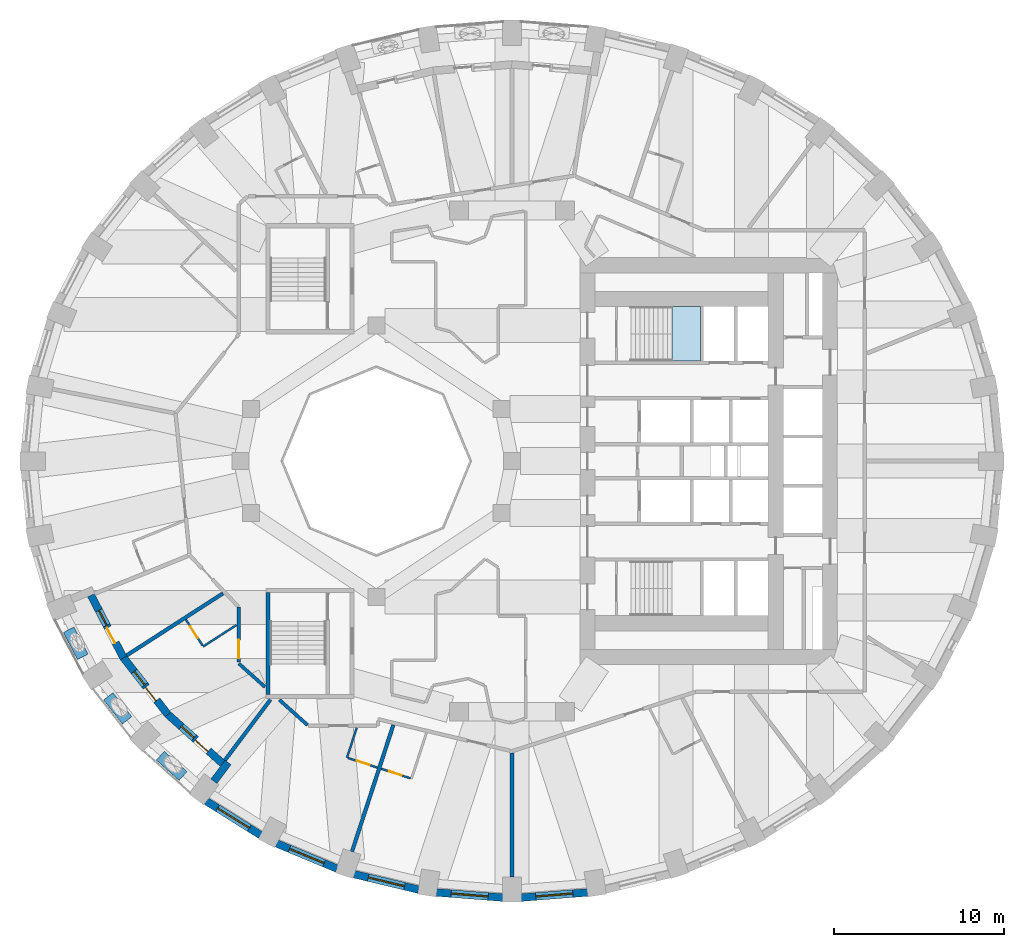
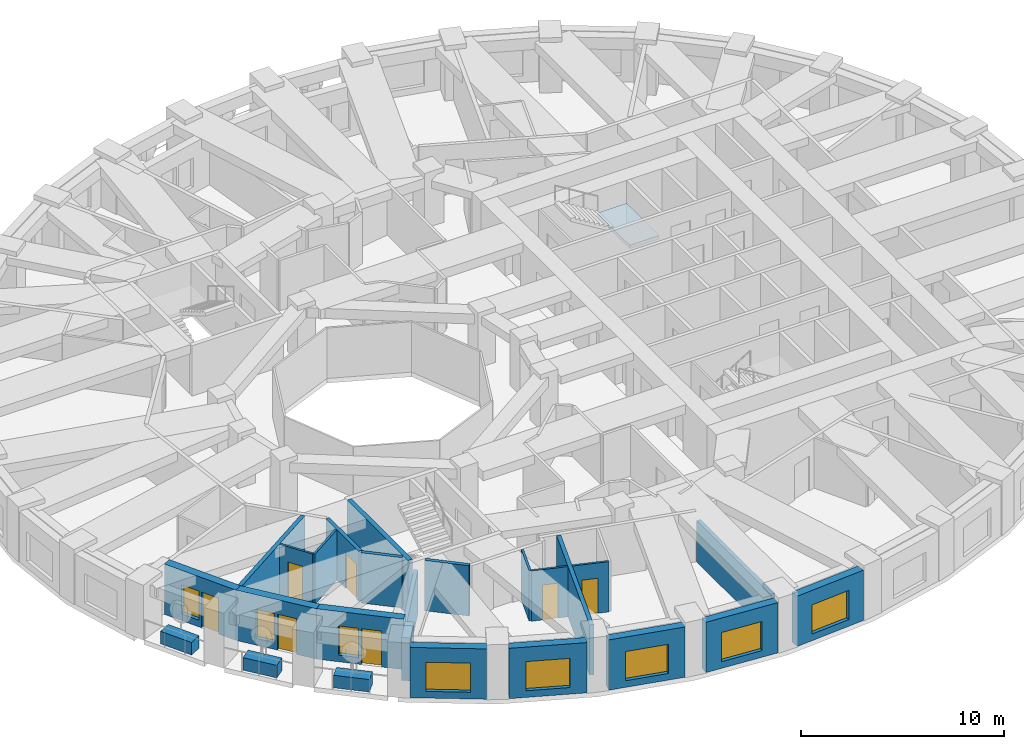
# One storey, part 3 of 13: 25 walls, 8 windows, 7 doors, 1 slab, 15 openings, 1 element without a shape of its own.
"""IFC4 building model written with IfcOpenShell, lengths in metres."""

from ifc_helpers import new_model, si_unit, direction, frame, frame_2d, origin, place, context, subcontext, project, spatial, polyline, rectangle, outline, extrude, material, layer, layer_set, constituent, constituent_set, type_object, element, fill, aggregate, save


model = new_model("IFC4")

# Units and contexts
model_context = context("Model", 3, precision=1e-05, world=origin(), true_north=direction((0.0, 1.0)))
body_context = subcontext(model_context, "Body", "Model", "MODEL_VIEW")
ifc_project = project(units=[si_unit("LENGTHUNIT", "METRE"), si_unit("AREAUNIT", "SQUARE_METRE"), si_unit("VOLUMEUNIT", "CUBIC_METRE"), si_unit("PLANEANGLEUNIT", "RADIAN"), si_unit("MASSUNIT", "GRAM", prefix="KILO")], contexts=[model_context])

# Site, building, storey
site_placement = place(None, origin())
site = spatial("IfcSite", under=ifc_project, at=site_placement, CompositionType="ELEMENT")
building_placement = place(site_placement, origin())
building = spatial("IfcBuilding", under=site, at=building_placement, Name="Taillehof Tower", CompositionType="ELEMENT")
storey_placement = place(building_placement, frame((0.0, 0.0, 58.0)))
storey = spatial("IfcBuildingStorey", under=building, at=storey_placement, Name="L15", CompositionType="ELEMENT", Elevation=58.0)

# Stair, slab
ifc_material_1 = material(Name="Concrete C40/50", Category="concrete")
stair_type = type_object("IfcStairType", Name="Exit stair half-turn", PredefinedType="HALF_TURN_STAIR", material=ifc_material_1)
stair_placement = place(storey_placement, origin())
stair = element("IfcStair", 1, at=stair_placement, inside=storey, type_object=stair_type, Name="Exit stair S1", PredefinedType="HALF_TURN_STAIR")
ifc_material_2 = material(Name="Concrete C40/50", Category="concrete")
ifc_layer_1 = layer(ifc_material_2, 0.2099609375)
ifc_layer_set_1 = layer_set([ifc_layer_1], Name="Stair landing C40/50 210")
slab_type = type_object("IfcSlabType", Name="Stair landing C40/50 210", PredefinedType="LANDING", material=ifc_layer_set_1)
slab_placement = place(storey_placement, frame((0.0, 0.0, 1.43994140625)))
slab = element("IfcSlab", 2, at=slab_placement, type_object=slab_type, Name="S1 landing 1", PredefinedType="LANDING", context=body_context, shape_type="SweptSolid", body=[
    extrude(outline(polyline([(9.429931640625, 5.89990234375), (11.10009765625, 5.89990234375), (11.10009765625, 9.10009765625), (9.429931640625, 9.10009765625), (9.429931640625, 5.89990234375)])), origin(), (0.0, 0.0, 1.0), 0.2099609375),
])
aggregate(stair, [slab])

# Wall, opening, window
ifc_material_3 = material(Name="Brick masonry", Category="masonry")
ifc_layer_2 = layer(ifc_material_3, 0.449951171875)
ifc_layer_set_2 = layer_set([ifc_layer_2], Name="Brick infill wall 450")
wall_type_1 = type_object("IfcWallType", Name="Brick infill wall 450", PredefinedType="SOLIDWALL", material=ifc_layer_set_2)
wall_1_placement = place(storey_placement, frame((-18.02294921875, -20.043701171875, 0.0), z_axis=(0.0, 0.0, 1.0), x_axis=(0.847635480093, -0.530579016629, 0.0)))
wall_1 = element("IfcWall", 3, at=wall_1_placement, inside=storey, type_object=wall_type_1, Name="Brick wall L15 bay 24", PredefinedType="SOLIDWALL", context=body_context, shape_type="SweptSolid", body=[
    extrude(rectangle(XDim=3.782470703125, YDim=0.449951171875, at=frame_2d((1.89111328125, 0.0))), origin(), (0.0, 0.0, 1.0), 3.02001953125),
])
opening_1_placement = place(wall_1_placement, frame((0.791259765625, 0.0, 0.39990234375)))
opening_1 = element("IfcOpeningElement", 4, at=opening_1_placement, cuts=wall_1, Name="Opening W1", PredefinedType="OPENING", context=body_context, shape_type="SweptSolid", body=[
    extrude(rectangle(XDim=2.199951171875, YDim=1.75, at=frame_2d((1.10009765625, 0.875))), frame((0.0, 0.23486328125, 0.0), z_axis=(0.0, -1.0, 0.0), x_axis=(1.0, 0.0, 0.0)), (0.0, 0.0, 1.0), 0.469970703125),
])
ifc_material_4 = material(Name="Aluminium window frame with clear double glazing", Category="aluminium")
window_type_1 = type_object("IfcWindowType", Name="Deep-set window 2200x1750", PartitioningType="SINGLE_PANEL", PredefinedType="WINDOW", material=ifc_material_4)
window_1_placement = place(opening_1_placement, origin())
window_1 = element("IfcWindow", 5, at=window_1_placement, inside=storey, type_object=window_type_1, Name="W1", OverallHeight=1.75, OverallWidth=2.199951171875, PartitioningType="SINGLE_PANEL", PredefinedType="WINDOW", context=body_context, shape_type="SweptSolid", body=[
    extrude(rectangle(XDim=2.199951171875, YDim=1.75, at=frame_2d((1.10009765625, 0.875))), frame((0.0, 0.034912109375, 0.0), z_axis=(0.0, -1.0, 0.0), x_axis=(1.0, 0.0, 0.0)), (0.0, 0.0, 1.0), 0.06005859375),
])
fill(opening_1, window_1)

wall_2_placement = place(storey_placement, frame((-13.875, -22.537353515625, 0.0), z_axis=(0.0, 0.0, 1.0), x_axis=(0.923031964282, -0.384723267966, 0.0)))
wall_2 = element("IfcWall", 6, at=wall_2_placement, inside=storey, type_object=wall_type_1, Name="Brick wall L15 bay 25", PredefinedType="SOLIDWALL", context=body_context, shape_type="SweptSolid", body=[
    extrude(rectangle(XDim=3.8564453125, YDim=0.449951171875, at=frame_2d((1.92822265625, 0.0))), origin(), (0.0, 0.0, 1.0), 3.02001953125),
])
opening_2_placement = place(wall_2_placement, frame((0.828125, 0.0, 0.39990234375)))
opening_2 = element("IfcOpeningElement", 7, at=opening_2_placement, cuts=wall_2, Name="Opening W1", PredefinedType="OPENING", context=body_context, shape_type="SweptSolid", body=[
    extrude(rectangle(XDim=2.199951171875, YDim=1.75, at=frame_2d((1.10009765625, 0.875))), frame((0.0, 0.23486328125, 0.0), z_axis=(0.0, -1.0, 0.0), x_axis=(1.0, 0.0, 0.0)), (0.0, 0.0, 1.0), 0.469970703125),
])
window_2_placement = place(opening_2_placement, origin())
window_2 = element("IfcWindow", 8, at=window_2_placement, inside=storey, type_object=window_type_1, Name="W1", OverallHeight=1.75, OverallWidth=2.199951171875, PartitioningType="SINGLE_PANEL", PredefinedType="WINDOW", context=body_context, shape_type="SweptSolid", body=[
    extrude(rectangle(XDim=2.199951171875, YDim=1.75, at=frame_2d((1.10009765625, 0.875))), frame((0.0, 0.034912109375, 0.0), z_axis=(0.0, -1.0, 0.0), x_axis=(1.0, 0.0, 0.0)), (0.0, 0.0, 1.0), 0.06005859375),
])
fill(opening_2, window_2)

wall_3_placement = place(storey_placement, frame((-9.3076171875, -24.349609375, 0.0), z_axis=(0.0, 0.0, 1.0), x_axis=(0.972496561493, -0.232917233979, 0.0)))
wall_3 = element("IfcWall", 9, at=wall_3_placement, inside=storey, type_object=wall_type_1, Name="Brick wall L15 bay 26", PredefinedType="SOLIDWALL", context=body_context, shape_type="SweptSolid", body=[
    extrude(rectangle(XDim=3.910888671875, YDim=0.449951171875, at=frame_2d((1.95556640625, 0.0))), origin(), (0.0, 0.0, 1.0), 3.02001953125),
])
opening_3_placement = place(wall_3_placement, frame((0.855224609375, 0.0, 0.39990234375)))
opening_3 = element("IfcOpeningElement", 10, at=opening_3_placement, cuts=wall_3, Name="Opening W1", PredefinedType="OPENING", context=body_context, shape_type="SweptSolid", body=[
    extrude(rectangle(XDim=2.199951171875, YDim=1.75, at=frame_2d((1.10009765625, 0.875))), frame((0.0, 0.23486328125, 0.0), z_axis=(0.0, -1.0, 0.0), x_axis=(1.0, 0.0, 0.0)), (0.0, 0.0, 1.0), 0.469970703125),
])
window_3_placement = place(opening_3_placement, origin())
window_3 = element("IfcWindow", 11, at=window_3_placement, inside=storey, type_object=window_type_1, Name="W1", OverallHeight=1.75, OverallWidth=2.199951171875, PartitioningType="SINGLE_PANEL", PredefinedType="WINDOW", context=body_context, shape_type="SweptSolid", body=[
    extrude(rectangle(XDim=2.199951171875, YDim=1.75, at=frame_2d((1.10009765625, 0.875))), frame((0.0, 0.034912109375, 0.0), z_axis=(0.0, -1.0, 0.0), x_axis=(1.0, 0.0, 0.0)), (0.0, 0.0, 1.0), 0.06005859375),
])
fill(opening_3, window_3)

wall_4_placement = place(storey_placement, frame((-4.457275390625, -25.42578125, 0.0), z_axis=(0.0, 0.0, 1.0), x_axis=(0.996955972145, -0.077966592873, 0.0)))
wall_4 = element("IfcWall", 12, at=wall_4_placement, inside=storey, type_object=wall_type_1, Name="Brick wall L15 bay 27", PredefinedType="SOLIDWALL", context=body_context, shape_type="SweptSolid", body=[
    extrude(rectangle(XDim=3.939208984375, YDim=0.449951171875, at=frame_2d((1.9697265625, 0.0))), origin(), (0.0, 0.0, 1.0), 3.02001953125),
])
opening_4_placement = place(wall_4_placement, frame((0.86962890625, 0.0, 0.39990234375)))
opening_4 = element("IfcOpeningElement", 13, at=opening_4_placement, cuts=wall_4, Name="Opening W1", PredefinedType="OPENING", context=body_context, shape_type="SweptSolid", body=[
    extrude(rectangle(XDim=2.199951171875, YDim=1.75, at=frame_2d((1.10009765625, 0.875))), frame((0.0, 0.23486328125, 0.0), z_axis=(0.0, -1.0, 0.0), x_axis=(1.0, 0.0, 0.0)), (0.0, 0.0, 1.0), 0.469970703125),
])
window_4_placement = place(opening_4_placement, origin())
window_4 = element("IfcWindow", 14, at=window_4_placement, inside=storey, type_object=window_type_1, Name="W1", OverallHeight=1.75, OverallWidth=2.199951171875, PartitioningType="SINGLE_PANEL", PredefinedType="WINDOW", context=body_context, shape_type="SweptSolid", body=[
    extrude(rectangle(XDim=2.199951171875, YDim=1.75, at=frame_2d((1.10009765625, 0.875))), frame((0.0, 0.034912109375, 0.0), z_axis=(0.0, -1.0, 0.0), x_axis=(1.0, 0.0, 0.0)), (0.0, 0.0, 1.0), 0.06005859375),
])
fill(opening_4, window_4)

wall_5_placement = place(storey_placement, frame((0.530029296875, -25.73291015625, 0.0), z_axis=(0.0, 0.0, 1.0), x_axis=(0.996955972145, 0.077966592873, 0.0)))
wall_5 = element("IfcWall", 15, at=wall_5_placement, inside=storey, type_object=wall_type_1, Name="Brick wall L15 bay 28", PredefinedType="SOLIDWALL", context=body_context, shape_type="SweptSolid", body=[
    extrude(rectangle(XDim=3.939208984375, YDim=0.449951171875, at=frame_2d((1.9697265625, 0.0))), origin(), (0.0, 0.0, 1.0), 3.02001953125),
])
opening_5_placement = place(wall_5_placement, frame((0.86962890625, 0.0, 0.39990234375)))
opening_5 = element("IfcOpeningElement", 16, at=opening_5_placement, cuts=wall_5, Name="Opening W1", PredefinedType="OPENING", context=body_context, shape_type="SweptSolid", body=[
    extrude(rectangle(XDim=2.199951171875, YDim=1.75, at=frame_2d((1.10009765625, 0.875))), frame((0.0, 0.23486328125, 0.0), z_axis=(0.0, -1.0, 0.0), x_axis=(1.0, 0.0, 0.0)), (0.0, 0.0, 1.0), 0.469970703125),
])
window_5_placement = place(opening_5_placement, origin())
window_5 = element("IfcWindow", 17, at=window_5_placement, inside=storey, type_object=window_type_1, Name="W1", OverallHeight=1.75, OverallWidth=2.199951171875, PartitioningType="SINGLE_PANEL", PredefinedType="WINDOW", context=body_context, shape_type="SweptSolid", body=[
    extrude(rectangle(XDim=2.199951171875, YDim=1.75, at=frame_2d((1.10009765625, 0.875))), frame((0.0, 0.034912109375, 0.0), z_axis=(0.0, -1.0, 0.0), x_axis=(1.0, 0.0, 0.0)), (0.0, 0.0, 1.0), 0.06005859375),
])
fill(opening_5, window_5)

# Wall
wall_6_placement = place(storey_placement, frame((-17.572021484375, -18.87060546875, 0.0), z_axis=(0.0, 0.0, 1.0), x_axis=(0.601262851241, 0.799051302306, 0.0)))
element("IfcWall", 18, at=wall_6_placement, inside=storey, type_object=wall_type_1, Name="Brick reveal L15 pocket 6", PredefinedType="SOLIDWALL", context=body_context, shape_type="SweptSolid", body=[
    extrude(rectangle(XDim=1.39111328125, YDim=0.449951171875, at=frame_2d((0.695556640625, 0.0))), origin(), (0.0, 0.0, 1.0), 2.570068359375),
])

# Wall, openings, door, window
wall_7_placement = place(storey_placement, frame((-24.81787109375, -7.90478515625, 0.0), z_axis=(0.0, 0.0, 1.0), x_axis=(0.461517123562, -0.887131300687, 0.0)))
wall_7 = element("IfcWall", 19, at=wall_7_placement, inside=storey, type_object=wall_type_1, Name="Brick wall L15 pocket bay 21", PredefinedType="SOLIDWALL", context=body_context, shape_type="SweptSolid", body=[
    extrude(rectangle(XDim=4.16162109375, YDim=0.449951171875, at=frame_2d((2.080810546875, 0.0))), origin(), (0.0, 0.0, 1.0), 3.02001953125),
])
opening_6_placement = place(wall_7_placement, frame((1.005859375, 0.0, 0.39990234375)))
opening_6 = element("IfcOpeningElement", 20, at=opening_6_placement, cuts=wall_7, Name="Opening W5", PredefinedType="OPENING", context=body_context, shape_type="SweptSolid", body=[
    extrude(rectangle(XDim=1.0, YDim=1.75, at=frame_2d((0.5, 0.875))), frame((0.0, 0.23486328125, 0.0), z_axis=(0.0, -1.0, 0.0), x_axis=(1.0, 0.0, 0.0)), (0.0, 0.0, 1.0), 0.469970703125),
])
opening_7_placement = place(wall_7_placement, frame((2.15576171875, 0.0, 0.0)))
opening_7 = element("IfcOpeningElement", 21, at=opening_7_placement, cuts=wall_7, Name="Opening D1594", PredefinedType="OPENING", context=body_context, shape_type="SweptSolid", body=[
    extrude(rectangle(XDim=1.0, YDim=2.14990234375, at=frame_2d((0.5, 1.074951171875))), frame((0.0, 0.23486328125, 0.0), z_axis=(0.0, -1.0, 0.0), x_axis=(1.0, 0.0, 0.0)), (0.0, 0.0, 1.0), 0.469970703125),
])
ifc_material_5 = material(Name="Aluminium door frame with clear double glazing", Category="aluminium")
door_type_1 = type_object("IfcDoorType", Name="Balcony door 1000x2150", OperationType="SINGLE_SWING_RIGHT", PredefinedType="DOOR", material=ifc_material_5)
door_1_placement = place(opening_7_placement, frame((1.0, 0.0, 0.0), z_axis=(0.0, 0.0, 1.0), x_axis=(-1.0, 0.0, 0.0)))
door_1 = element("IfcDoor", 22, at=door_1_placement, inside=storey, type_object=door_type_1, Name="Balcony door L15 bay 21", OperationType="SINGLE_SWING_RIGHT", OverallHeight=2.14990234375, OverallWidth=1.0, PredefinedType="DOOR", context=body_context, shape_type="SweptSolid", body=[
    extrude(rectangle(XDim=1.0, YDim=2.14990234375, at=frame_2d((0.5, 1.074951171875))), frame((0.0, 0.0751953125, 0.0), z_axis=(0.0, -1.0, 0.0), x_axis=(1.0, 0.0, 0.0)), (0.0, 0.0, 1.0), 0.050048828125),
])
fill(opening_7, door_1)
ifc_material_6 = material(Name="Aluminium window frame with clear double glazing", Category="aluminium")
window_type_2 = type_object("IfcWindowType", Name="Fixed window 1000x1750", PartitioningType="SINGLE_PANEL", PredefinedType="WINDOW", material=ifc_material_6)
window_6_placement = place(opening_6_placement, origin())
window_6 = element("IfcWindow", 23, at=window_6_placement, inside=storey, type_object=window_type_2, Name="W5", OverallHeight=1.75, OverallWidth=1.0, PartitioningType="SINGLE_PANEL", PredefinedType="WINDOW", context=body_context, shape_type="SweptSolid", body=[
    extrude(rectangle(XDim=1.0, YDim=1.75, at=frame_2d((0.5, 0.875))), frame((0.0, 0.034912109375, 0.0), z_axis=(0.0, -1.0, 0.0), x_axis=(1.0, 0.0, 0.0)), (0.0, 0.0, 1.0), 0.06005859375),
])
fill(opening_6, window_6)

wall_8_placement = place(storey_placement, frame((-22.919677734375, -11.56201171875, 0.0), z_axis=(0.0, 0.0, 1.0), x_axis=(0.615586464456, -0.788069352772, 0.0)))
wall_8 = element("IfcWall", 24, at=wall_8_placement, inside=storey, type_object=wall_type_1, Name="Brick wall L15 pocket bay 22", PredefinedType="SOLIDWALL", context=body_context, shape_type="SweptSolid", body=[
    extrude(rectangle(XDim=4.27880859375, YDim=0.449951171875, at=frame_2d((2.139404296875, 0.0))), origin(), (0.0, 0.0, 1.0), 3.02001953125),
])
opening_8_placement = place(wall_8_placement, frame((1.064453125, 0.0, 0.39990234375)))
opening_8 = element("IfcOpeningElement", 25, at=opening_8_placement, cuts=wall_8, Name="Opening W5", PredefinedType="OPENING", context=body_context, shape_type="SweptSolid", body=[
    extrude(rectangle(XDim=1.0, YDim=1.75, at=frame_2d((0.5, 0.875))), frame((0.0, 0.23486328125, 0.0), z_axis=(0.0, -1.0, 0.0), x_axis=(1.0, 0.0, 0.0)), (0.0, 0.0, 1.0), 0.469970703125),
])
opening_9_placement = place(wall_8_placement, frame((2.21435546875, 0.0, 0.0)))
opening_9 = element("IfcOpeningElement", 26, at=opening_9_placement, cuts=wall_8, Name="Opening D1595", PredefinedType="OPENING", context=body_context, shape_type="SweptSolid", body=[
    extrude(rectangle(XDim=1.0, YDim=2.14990234375, at=frame_2d((0.5, 1.074951171875))), frame((0.0, 0.23486328125, 0.0), z_axis=(0.0, -1.0, 0.0), x_axis=(1.0, 0.0, 0.0)), (0.0, 0.0, 1.0), 0.469970703125),
])
door_2_placement = place(opening_9_placement, frame((1.0, 0.0, 0.0), z_axis=(0.0, 0.0, 1.0), x_axis=(-1.0, 0.0, 0.0)))
door_2 = element("IfcDoor", 27, at=door_2_placement, inside=storey, type_object=door_type_1, Name="Balcony door L15 bay 22", OperationType="SINGLE_SWING_LEFT", OverallHeight=2.14990234375, OverallWidth=1.0, PredefinedType="DOOR", context=body_context, shape_type="SweptSolid", body=[
    extrude(rectangle(XDim=1.0, YDim=2.14990234375, at=frame_2d((0.5, 1.074951171875))), frame((0.0, 0.0751953125, 0.0), z_axis=(0.0, -1.0, 0.0), x_axis=(1.0, 0.0, 0.0)), (0.0, 0.0, 1.0), 0.050048828125),
])
fill(opening_9, door_2)
window_7_placement = place(opening_8_placement, origin())
window_7 = element("IfcWindow", 28, at=window_7_placement, inside=storey, type_object=window_type_2, Name="W5", OverallHeight=1.75, OverallWidth=1.0, PartitioningType="SINGLE_PANEL", PredefinedType="WINDOW", context=body_context, shape_type="SweptSolid", body=[
    extrude(rectangle(XDim=1.0, YDim=1.75, at=frame_2d((0.5, 0.875))), frame((0.0, 0.034912109375, 0.0), z_axis=(0.0, -1.0, 0.0), x_axis=(1.0, 0.0, 0.0)), (0.0, 0.0, 1.0), 0.06005859375),
])
fill(opening_8, window_7)

wall_9_placement = place(storey_placement, frame((-20.312744140625, -14.905029296875, 0.0), z_axis=(0.0, 0.0, 1.0), x_axis=(0.744616407434, -0.667492626012, 0.0)))
wall_9 = element("IfcWall", 29, at=wall_9_placement, inside=storey, type_object=wall_type_1, Name="Brick wall L15 pocket bay 23", PredefinedType="SOLIDWALL", context=body_context, shape_type="SweptSolid", body=[
    extrude(rectangle(XDim=4.365234375, YDim=0.449951171875, at=frame_2d((2.1826171875, 0.0))), origin(), (0.0, 0.0, 1.0), 3.02001953125),
])
opening_10_placement = place(wall_9_placement, frame((1.107666015625, 0.0, 0.39990234375)))
opening_10 = element("IfcOpeningElement", 30, at=opening_10_placement, cuts=wall_9, Name="Opening W5", PredefinedType="OPENING", context=body_context, shape_type="SweptSolid", body=[
    extrude(rectangle(XDim=1.0, YDim=1.75, at=frame_2d((0.5, 0.875))), frame((0.0, 0.23486328125, 0.0), z_axis=(0.0, -1.0, 0.0), x_axis=(1.0, 0.0, 0.0)), (0.0, 0.0, 1.0), 0.469970703125),
])
opening_11_placement = place(wall_9_placement, frame((2.2578125, 0.0, 0.0)))
opening_11 = element("IfcOpeningElement", 31, at=opening_11_placement, cuts=wall_9, Name="Opening D1596", PredefinedType="OPENING", context=body_context, shape_type="SweptSolid", body=[
    extrude(rectangle(XDim=1.0, YDim=2.14990234375, at=frame_2d((0.5, 1.074951171875))), frame((0.0, 0.23486328125, 0.0), z_axis=(0.0, -1.0, 0.0), x_axis=(1.0, 0.0, 0.0)), (0.0, 0.0, 1.0), 0.469970703125),
])
door_3_placement = place(opening_11_placement, frame((1.0, 0.0, 0.0), z_axis=(0.0, 0.0, 1.0), x_axis=(-1.0, 0.0, 0.0)))
door_3 = element("IfcDoor", 32, at=door_3_placement, inside=storey, type_object=door_type_1, Name="Balcony door L15 bay 23", OperationType="SINGLE_SWING_LEFT", OverallHeight=2.14990234375, OverallWidth=1.0, PredefinedType="DOOR", context=body_context, shape_type="SweptSolid", body=[
    extrude(rectangle(XDim=1.0, YDim=2.14990234375, at=frame_2d((0.5, 1.074951171875))), frame((0.0, 0.0751953125, 0.0), z_axis=(0.0, -1.0, 0.0), x_axis=(1.0, 0.0, 0.0)), (0.0, 0.0, 1.0), 0.050048828125),
])
fill(opening_11, door_3)
window_8_placement = place(opening_10_placement, origin())
window_8 = element("IfcWindow", 33, at=window_8_placement, inside=storey, type_object=window_type_2, Name="W5", OverallHeight=1.75, OverallWidth=1.0, PartitioningType="SINGLE_PANEL", PredefinedType="WINDOW", context=body_context, shape_type="SweptSolid", body=[
    extrude(rectangle(XDim=1.0, YDim=1.75, at=frame_2d((0.5, 0.875))), frame((0.0, 0.034912109375, 0.0), z_axis=(0.0, -1.0, 0.0), x_axis=(1.0, 0.0, 0.0)), (0.0, 0.0, 1.0), 0.06005859375),
])
fill(opening_10, window_8)

# Wall
ifc_material_7 = material(Name="Gypsum board on steel studs, two layers each side", Category="steel")
ifc_layer_3 = layer(ifc_material_7, 0.199951171875)
ifc_layer_set_3 = layer_set([ifc_layer_3], Name="Compartment wall corridor 200")
wall_type_2 = type_object("IfcWallType", Name="Compartment wall corridor 200", PredefinedType="PARTITIONING", material=ifc_layer_set_3)
wall_10_placement = place(storey_placement, frame((-14.559326171875, -13.314208984375, 0.0), z_axis=(0.0, 0.0, 1.0), x_axis=(-0.744636171002, 0.667470578254, 0.0)))
element("IfcWall", 34, at=wall_10_placement, inside=storey, type_object=wall_type_2, Name="Compartment wall", PredefinedType="PARTITIONING", context=body_context, shape_type="SweptSolid", body=[
    extrude(rectangle(XDim=2.069091796875, YDim=0.199951171875, at=frame_2d((1.03466796875, 0.0))), origin(), (0.0, 0.0, 1.0), 3.02001953125),
])

# Wall, opening, door
wall_11_placement = place(storey_placement, frame((-16.10009765625, -11.85302734375, 0.0), z_axis=(0.0, 0.0, 1.0), x_axis=(0.0, 1.0, 0.0)))
wall_11 = element("IfcWall", 35, at=wall_11_placement, inside=storey, type_object=wall_type_2, Name="Compartment wall", PredefinedType="PARTITIONING", context=body_context, shape_type="SweptSolid", body=[
    extrude(rectangle(XDim=3.244140625, YDim=0.199951171875, at=frame_2d((1.6220703125, 0.0))), origin(), (0.0, 0.0, 1.0), 3.02001953125),
])
opening_12_placement = place(wall_11_placement, frame((0.219970703125, 0.0, 0.0)))
opening_12 = element("IfcOpeningElement", 36, at=opening_12_placement, cuts=wall_11, Name="Opening D1555", PredefinedType="OPENING", context=body_context, shape_type="SweptSolid", body=[
    extrude(rectangle(XDim=1.10009765625, YDim=2.10009765625, at=frame_2d((0.550048828125, 1.050048828125))), frame((0.0, 0.10986328125, 0.0), z_axis=(0.0, -1.0, 0.0), x_axis=(1.0, 0.0, 0.0)), (0.0, 0.0, 1.0), 0.219970703125),
])
ifc_material_8 = material(Name="Timber door leaf in steel frame", Category="steel")
door_type_2 = type_object("IfcDoorType", Name="Suite entrance door EI 30 1100 x 2100", OperationType="SINGLE_SWING_LEFT", PredefinedType="DOOR", material=ifc_material_8)
door_4_placement = place(opening_12_placement, origin())
door_4 = element("IfcDoor", 37, at=door_4_placement, inside=storey, type_object=door_type_2, Name="D1555", OperationType="SINGLE_SWING_RIGHT", OverallHeight=2.10009765625, OverallWidth=1.10009765625, PredefinedType="DOOR", context=body_context, shape_type="SweptSolid", body=[
    extrude(rectangle(XDim=1.10009765625, YDim=2.10009765625, at=frame_2d((0.550048828125, 1.050048828125))), frame((0.0, 0.02490234375, 0.0), z_axis=(0.0, -1.0, 0.0), x_axis=(1.0, 0.0, 0.0)), (0.0, 0.0, 1.0), 0.050048828125),
])
fill(opening_12, door_4)

# Walls
wall_12_placement = place(storey_placement, frame((-12.053955078125, -15.559814453125, 0.0), z_axis=(0.0, 0.0, 1.0), x_axis=(-0.744625700487, 0.66748225907, 0.0)))
element("IfcWall", 38, at=wall_12_placement, inside=storey, type_object=wall_type_2, Name="Compartment wall", PredefinedType="PARTITIONING", context=body_context, shape_type="SweptSolid", body=[
    extrude(rectangle(XDim=2.231201171875, YDim=0.199951171875, at=frame_2d((1.11572265625, 0.0))), origin(), (0.0, 0.0, 1.0), 3.02001953125),
])
ifc_material_9 = material(Name="Gypsum board on double steel studs with mineral wool", Category="steel")
ifc_layer_4 = layer(ifc_material_9, 0.219970703125)
ifc_layer_set_4 = layer_set([ifc_layer_4], Name="Compartment wall guest room 220")
wall_type_3 = type_object("IfcWallType", Name="Compartment wall guest room 220", PredefinedType="PARTITIONING", material=ifc_layer_set_4)
wall_13_placement = place(storey_placement, frame((-22.717041015625, -11.455810546875, 0.0), z_axis=(0.0, 0.0, 1.0), x_axis=(0.840775666807, 0.541383669965, 0.0)))
element("IfcWall", 39, at=wall_13_placement, inside=storey, type_object=wall_type_3, Name="Compartment wall", PredefinedType="PARTITIONING", context=body_context, shape_type="SweptSolid", body=[
    extrude(rectangle(XDim=6.758544921875, YDim=0.219970703125, at=frame_2d((3.37939453125, 0.0))), origin(), (0.0, 0.0, 1.0), 3.02001953125),
])
wall_14_placement = place(storey_placement, frame((-16.926513671875, -17.638427734375, 0.0), z_axis=(0.0, 0.0, 1.0), x_axis=(0.601158965663, 0.799129462605, 0.0)))
element("IfcWall", 40, at=wall_14_placement, inside=storey, type_object=wall_type_3, Name="Compartment wall", PredefinedType="PARTITIONING", context=body_context, shape_type="SweptSolid", body=[
    extrude(rectangle(XDim=4.480224609375, YDim=0.219970703125, at=frame_2d((2.240234375, 0.0))), origin(), (0.0, 0.0, 1.0), 2.570068359375),
])
wall_15_placement = place(storey_placement, frame((-9.429443359375, -23.01416015625, 0.0), z_axis=(0.0, 0.0, 1.0), x_axis=(0.310249775859, 0.950655077607, 0.0)))
element("IfcWall", 41, at=wall_15_placement, inside=storey, type_object=wall_type_3, Name="Compartment wall", PredefinedType="PARTITIONING", context=body_context, shape_type="SweptSolid", body=[
    extrude(rectangle(XDim=7.849609375, YDim=0.219970703125, at=frame_2d((3.9248046875, 0.0))), origin(), (0.0, 0.0, 1.0), 3.02001953125),
])
wall_16_placement = place(storey_placement, frame((0.0, -24.5, 0.0), z_axis=(0.0, 0.0, 1.0), x_axis=(0.0, 1.0, 0.0)))
element("IfcWall", 42, at=wall_16_placement, inside=storey, type_object=wall_type_3, Name="Compartment wall", PredefinedType="PARTITIONING", context=body_context, shape_type="SweptSolid", body=[
    extrude(rectangle(XDim=7.2998046875, YDim=0.219970703125, at=frame_2d((3.64990234375, 0.0))), origin(), (0.0, 0.0, 1.0), 2.469970703125),
])
ifc_material_10 = material(Name="Gypsum board on steel studs, moisture resistant", Category="steel")
ifc_layer_5 = layer(ifc_material_10, 0.1201171875)
ifc_layer_set_5 = layer_set([ifc_layer_5], Name="En-suite wall 120")
wall_type_4 = type_object("IfcWallType", Name="En-suite wall 120", PredefinedType="PARTITIONING", material=ifc_layer_set_5)
wall_17_placement = place(storey_placement, frame((-16.23388671875, -9.65966796875, 0.0), z_axis=(0.0, 0.0, 1.0), x_axis=(-0.840731269954, -0.541452612628, 0.0)))
element("IfcWall", 43, at=wall_17_placement, inside=storey, type_object=wall_type_4, Name="En-suite wall", PredefinedType="PARTITIONING", context=body_context, shape_type="SweptSolid", body=[
    extrude(rectangle(XDim=2.3427734375, YDim=0.1201171875, at=frame_2d((1.17138671875, 0.0))), origin(), (0.0, 0.0, 1.0), 3.02001953125),
])
wall_18_placement = place(storey_placement, frame((-9.152587890625, -15.71923828125, 0.0), z_axis=(0.0, 0.0, 1.0), x_axis=(-0.310326382186, -0.950630073435, 0.0)))
element("IfcWall", 44, at=wall_18_placement, inside=storey, type_object=wall_type_4, Name="En-suite wall", PredefinedType="PARTITIONING", context=body_context, shape_type="SweptSolid", body=[
    extrude(rectangle(XDim=1.85107421875, YDim=0.1201171875, at=frame_2d((0.925537109375, 0.0))), origin(), (0.0, 0.0, 1.0), 3.02001953125),
])

# Wall, opening, door
wall_19_placement = place(storey_placement, frame((-18.23583984375, -10.877685546875, 0.0), z_axis=(0.0, 0.0, 1.0), x_axis=(-0.54164058606, 0.840610180484, 0.0)))
wall_19 = element("IfcWall", 45, at=wall_19_placement, inside=storey, type_object=wall_type_4, Name="En-suite wall", PredefinedType="PARTITIONING", context=body_context, shape_type="SweptSolid", body=[
    extrude(rectangle(XDim=1.830078125, YDim=0.1201171875, at=frame_2d((0.9150390625, 0.0))), origin(), (0.0, 0.0, 1.0), 3.02001953125),
])
opening_13_placement = place(wall_19_placement, frame((0.5400390625, 0.0, 0.0)))
opening_13 = element("IfcOpeningElement", 46, at=opening_13_placement, cuts=wall_19, Name="Opening D1556", PredefinedType="OPENING", context=body_context, shape_type="SweptSolid", body=[
    extrude(rectangle(XDim=0.800048828125, YDim=2.10009765625, at=frame_2d((0.39990234375, 1.050048828125))), frame((0.0, 0.070068359375, 0.0), z_axis=(0.0, -1.0, 0.0), x_axis=(1.0, 0.0, 0.0)), (0.0, 0.0, 1.0), 0.14013671875),
])
ifc_material_11 = material(Name="Timber door leaf in steel frame", Category="steel")
door_type_3 = type_object("IfcDoorType", Name="En-suite door 800 x 2100", OperationType="SINGLE_SWING_LEFT", PredefinedType="DOOR", material=ifc_material_11)
door_5_placement = place(opening_13_placement, origin())
door_5 = element("IfcDoor", 47, at=door_5_placement, inside=storey, type_object=door_type_3, Name="D1556", OperationType="SINGLE_SWING_RIGHT", OverallHeight=2.10009765625, OverallWidth=0.800048828125, PredefinedType="DOOR", context=body_context, shape_type="SweptSolid", body=[
    extrude(rectangle(XDim=0.800048828125, YDim=2.10009765625, at=frame_2d((0.39990234375, 1.050048828125))), frame((0.0, 0.02490234375, 0.0), z_axis=(0.0, -1.0, 0.0), x_axis=(1.0, 0.0, 0.0)), (0.0, 0.0, 1.0), 0.050048828125),
])
fill(opening_13, door_5)

wall_20_placement = place(storey_placement, frame((-9.669921875, -17.49755859375, 0.0), z_axis=(0.0, 0.0, 1.0), x_axis=(0.950678536911, -0.31017788357, 0.0)))
wall_20 = element("IfcWall", 48, at=wall_20_placement, inside=storey, type_object=wall_type_4, Name="En-suite wall", PredefinedType="PARTITIONING", context=body_context, shape_type="SweptSolid", body=[
    extrude(rectangle(XDim=1.830078125, YDim=0.1201171875, at=frame_2d((0.9150390625, 0.0))), origin(), (0.0, 0.0, 1.0), 3.02001953125),
])
opening_14_placement = place(wall_20_placement, frame((0.5400390625, 0.0, 0.0)))
opening_14 = element("IfcOpeningElement", 49, at=opening_14_placement, cuts=wall_20, Name="Opening D1558", PredefinedType="OPENING", context=body_context, shape_type="SweptSolid", body=[
    extrude(rectangle(XDim=0.800048828125, YDim=2.10009765625, at=frame_2d((0.39990234375, 1.050048828125))), frame((0.0, 0.070068359375, 0.0), z_axis=(0.0, -1.0, 0.0), x_axis=(1.0, 0.0, 0.0)), (0.0, 0.0, 1.0), 0.14013671875),
])
door_6_placement = place(opening_14_placement, origin())
door_6 = element("IfcDoor", 50, at=door_6_placement, inside=storey, type_object=door_type_3, Name="D1558", OperationType="SINGLE_SWING_LEFT", OverallHeight=2.10009765625, OverallWidth=0.800048828125, PredefinedType="DOOR", context=body_context, shape_type="SweptSolid", body=[
    extrude(rectangle(XDim=0.800048828125, YDim=2.10009765625, at=frame_2d((0.39990234375, 1.050048828125))), frame((0.0, 0.02490234375, 0.0), z_axis=(0.0, -1.0, 0.0), x_axis=(1.0, 0.0, 0.0)), (0.0, 0.0, 1.0), 0.050048828125),
])
fill(opening_14, door_6)

wall_21_placement = place(storey_placement, frame((-5.9814453125, -18.701416015625, 0.0), z_axis=(0.0, 0.0, 1.0), x_axis=(-0.950639191072, 0.310298450524, 0.0)))
wall_21 = element("IfcWall", 51, at=wall_21_placement, inside=storey, type_object=wall_type_4, Name="En-suite wall", PredefinedType="PARTITIONING", context=body_context, shape_type="SweptSolid", body=[
    extrude(rectangle(XDim=1.830078125, YDim=0.1201171875, at=frame_2d((0.9150390625, 0.0))), origin(), (0.0, 0.0, 1.0), 3.02001953125),
])
opening_15_placement = place(wall_21_placement, frame((0.5400390625, 0.0, 0.0)))
opening_15 = element("IfcOpeningElement", 52, at=opening_15_placement, cuts=wall_21, Name="Opening D1560", PredefinedType="OPENING", context=body_context, shape_type="SweptSolid", body=[
    extrude(rectangle(XDim=0.800048828125, YDim=2.10009765625, at=frame_2d((0.39990234375, 1.050048828125))), frame((0.0, 0.070068359375, 0.0), z_axis=(0.0, -1.0, 0.0), x_axis=(1.0, 0.0, 0.0)), (0.0, 0.0, 1.0), 0.14013671875),
])
door_7_placement = place(opening_15_placement, origin())
door_7 = element("IfcDoor", 53, at=door_7_placement, inside=storey, type_object=door_type_3, Name="D1560", OperationType="SINGLE_SWING_LEFT", OverallHeight=2.10009765625, OverallWidth=0.800048828125, PredefinedType="DOOR", context=body_context, shape_type="SweptSolid", body=[
    extrude(rectangle(XDim=0.800048828125, YDim=2.10009765625, at=frame_2d((0.39990234375, 1.050048828125))), frame((0.0, 0.02490234375, 0.0), z_axis=(0.0, -1.0, 0.0), x_axis=(1.0, 0.0, 0.0)), (0.0, 0.0, 1.0), 0.050048828125),
])
fill(opening_15, door_7)

# Walls
ifc_material_12 = material(Name="Concrete C30/37 precast", Category="concrete")
ifc_constituent_1 = constituent(ifc_material_12, Name="Structure", Category="concrete")
ifc_material_13 = material(Name="Insulated lining")
ifc_constituent_2 = constituent(ifc_material_13, Name="Lining")
ifc_constituent_set = constituent_set(constituents=[ifc_constituent_1, ifc_constituent_2], Name="Planter trough 700x750")
wall_type_5 = type_object("IfcWallType", Name="Planter trough 700x750", PredefinedType="USERDEFINED", material=ifc_constituent_set)
wall_22_placement = place(storey_placement, frame((-26.132568359375, -9.94091796875, 0.0), z_axis=(0.0, 0.0, 1.0), x_axis=(0.462501112253, -0.886618701114, 0.0)))
element("IfcWall", 54, at=wall_22_placement, inside=storey, type_object=wall_type_5, Name="Planter L15 bay 21", ObjectType="PLANTER", PredefinedType="USERDEFINED", context=body_context, shape_type="SweptSolid", body=[
    extrude(rectangle(XDim=1.800048828125, YDim=0.699951171875, at=frame_2d((0.89990234375, 0.0))), origin(), (0.0, 0.0, 1.0), 0.75),
])
wall_23_placement = place(storey_placement, frame((-23.79541015625, -13.8642578125, 0.0), z_axis=(0.0, 0.0, 1.0), x_axis=(0.616622746332, -0.787258781282, 0.0)))
element("IfcWall", 55, at=wall_23_placement, inside=storey, type_object=wall_type_5, Name="Planter L15 bay 22", ObjectType="PLANTER", PredefinedType="USERDEFINED", context=body_context, shape_type="SweptSolid", body=[
    extrude(rectangle(XDim=1.7998046875, YDim=0.699951171875, at=frame_2d((0.89990234375, 0.0))), origin(), (0.0, 0.0, 1.0), 0.75),
])
wall_24_placement = place(storey_placement, frame((-20.72998046875, -17.362548828125, 0.0), z_axis=(0.0, 0.0, 1.0), x_axis=(0.745535653445, -0.666465745139, 0.0)))
element("IfcWall", 56, at=wall_24_placement, inside=storey, type_object=wall_type_5, Name="Planter L15 bay 23", ObjectType="PLANTER", PredefinedType="USERDEFINED", context=body_context, shape_type="SweptSolid", body=[
    extrude(rectangle(XDim=1.800048828125, YDim=0.699951171875, at=frame_2d((0.89990234375, 0.0))), origin(), (0.0, 0.0, 1.0), 0.75),
])
ifc_material_14 = material(Name="Concrete C50/60", Category="concrete")
ifc_layer_6 = layer(ifc_material_14, 0.25)
ifc_layer_set_6 = layer_set([ifc_layer_6], Name="Stair wall C50/60 250")
wall_type_6 = type_object("IfcWallType", Name="Stair wall C50/60 250", PredefinedType="SHEAR", material=ifc_layer_set_6)
wall_25_placement = place(storey_placement, frame((-14.375, -13.75, -0.280029296875), z_axis=(0.0, 0.0, 1.0), x_axis=(0.0, 1.0, 0.0)))
element("IfcWall", 57, at=wall_25_placement, inside=storey, type_object=wall_type_6, Name="Stair wall SC", PredefinedType="SHEAR", context=body_context, shape_type="SweptSolid", body=[
    extrude(rectangle(XDim=6.0, YDim=0.25, at=frame_2d((3.0, 0.0))), origin(), (0.0, 0.0, 1.0), 3.300048828125),
])

save(model, "model.ifc")
